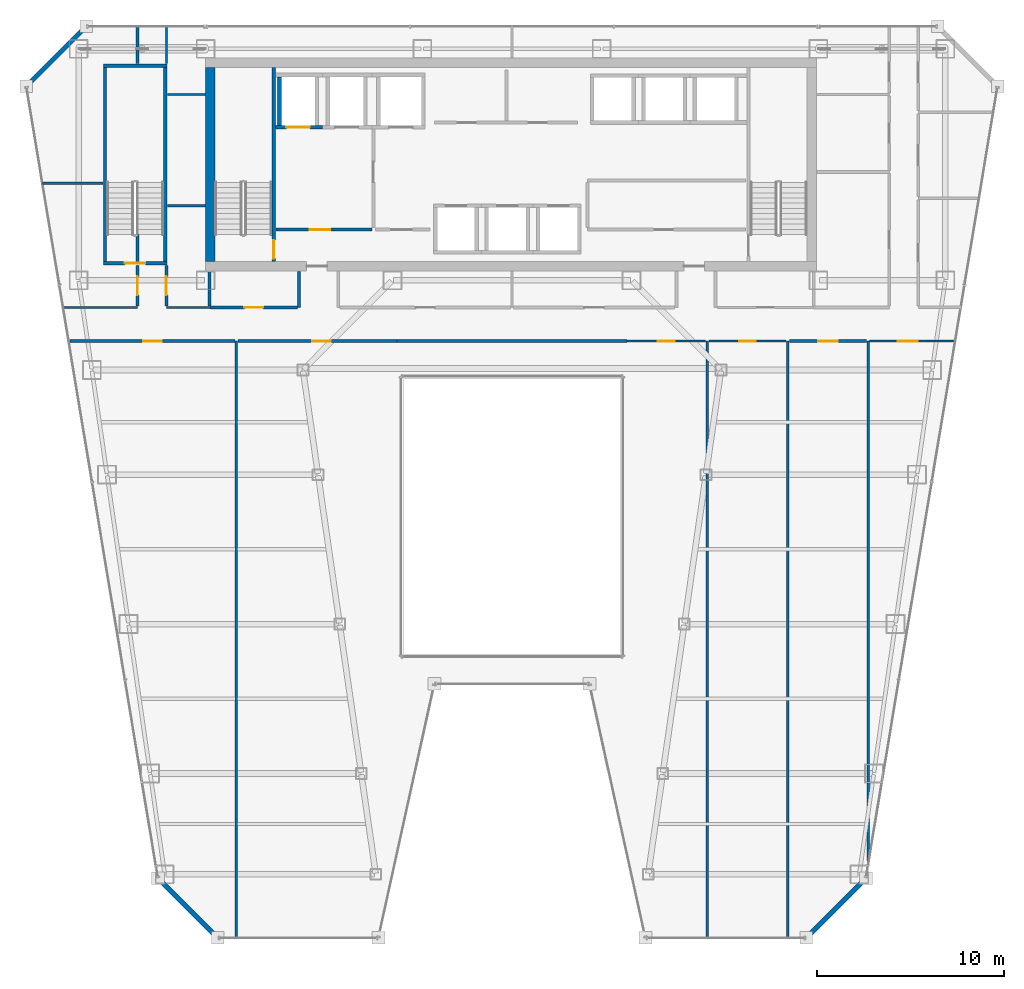
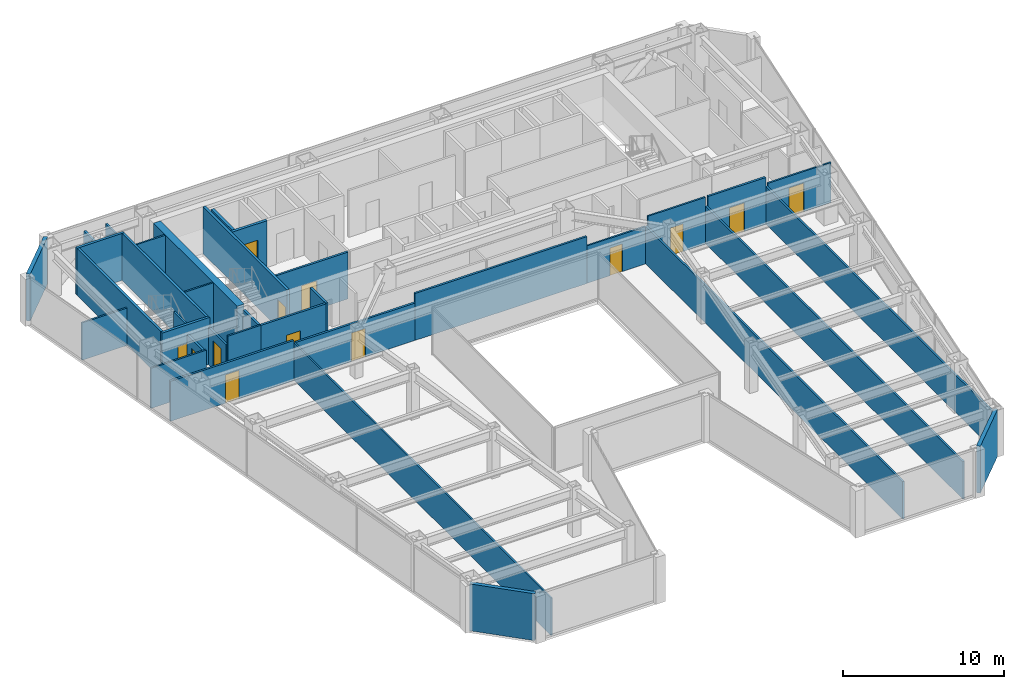
# One storey, part 31 of 36: 36 walls, 13 doors, 13 openings.
"""IFC4 building model written with IfcOpenShell, lengths in metres."""

from ifc_helpers import new_model, si_unit, direction, frame, frame_2d, origin, place, context, subcontext, project, spatial, rectangle, extrude, material, layer, layer_set, type_object, element, fill, save


model = new_model("IFC4")

# Units and contexts
model_context = context("Model", 3, precision=1e-05, world=origin(), true_north=direction((0.0, 1.0)))
body_context = subcontext(model_context, "Body", "Model", "MODEL_VIEW")
ifc_project = project(units=[si_unit("LENGTHUNIT", "METRE"), si_unit("AREAUNIT", "SQUARE_METRE"), si_unit("VOLUMEUNIT", "CUBIC_METRE"), si_unit("PLANEANGLEUNIT", "RADIAN"), si_unit("MASSUNIT", "GRAM", prefix="KILO")], contexts=[model_context])

# Site, building, storey
site_placement = place(None, origin())
site = spatial("IfcSite", under=ifc_project, at=site_placement, CompositionType="ELEMENT")
building_placement = place(site_placement, origin())
building = spatial("IfcBuilding", under=site, at=building_placement, Name="Saevonmaru Cultural Tower", CompositionType="ELEMENT")
storey_placement = place(building_placement, frame((0.0, 0.0, 148.60009765625)))
storey = spatial("IfcBuildingStorey", under=building, at=storey_placement, Name="L32", CompositionType="ELEMENT", Elevation=148.60009765625)

# Wall
ifc_material_1 = material(Name="Concrete C60/75", Category="concrete")
ifc_layer_1 = layer(ifc_material_1, 0.5, Name="Concrete C60/75")
ifc_layer_set_1 = layer_set([ifc_layer_1], Name="Concrete C60/75")
wall_type_1 = type_object("IfcWallType", Name="WL-CORE-500", PredefinedType="SHEAR", material=ifc_layer_set_1)
wall_1_placement = place(storey_placement, frame((13.85009765625, 43.39990234375, 0.0), z_axis=(0.0, 0.0, 1.0), x_axis=(0.0, 1.0, 0.0)))
element("IfcWall", 1, at=wall_1_placement, inside=storey, type_object=wall_type_1, Name="L32 Tower RC core shear wall W", PredefinedType="SHEAR", context=body_context, shape_type="SweptSolid", body=[
    extrude(rectangle(XDim=10.400146484375, YDim=0.5, at=frame_2d((5.2001953125, 0.0))), origin(), (0.0, 0.0, 1.0), 3.5498046875),
])

# Wall, opening, door
ifc_material_2 = material(Name="Gypsum Fireboard Partition", Category="gypsum")
ifc_layer_2 = layer(ifc_material_2, 0.14990234375, Name="Gypsum Fireboard Partition")
ifc_layer_set_2 = layer_set([ifc_layer_2], Name="Gypsum Fireboard Partition")
wall_type_2 = type_object("IfcWallType", Name="WL-CORE-PART-150", PredefinedType="PARTITIONING", material=ifc_layer_set_2)
wall_2_placement = place(storey_placement, frame((17.360107421875, 45.1201171875, 0.0), z_axis=(0.0, 0.0, 1.0), x_axis=(1.0, 0.0, 0.0)))
wall_2 = element("IfcWall", 2, at=wall_2_placement, inside=storey, type_object=wall_type_2, Name="L32 Firefighting Lift Lobby South Wall", PredefinedType="PARTITIONING", context=body_context, shape_type="SweptSolid", body=[
    extrude(rectangle(XDim=5.139892578125, YDim=0.14990234375, at=frame_2d((2.56982421875, 0.0))), origin(), (0.0, 0.0, 1.0), 3.5498046875),
])
opening_1_placement = place(wall_2_placement, frame((1.800048828125, 0.0, 0.0)))
opening_1 = element("IfcOpeningElement", 3, at=opening_1_placement, cuts=wall_2, Name="Opening FD-2", PredefinedType="OPENING", context=body_context, shape_type="SweptSolid", body=[
    extrude(rectangle(XDim=1.10009765625, YDim=2.14990234375, at=frame_2d((0.550048828125, 1.074951171875))), frame((0.0, 0.0849609375, 0.0), z_axis=(0.0, -1.0, 0.0), x_axis=(1.0, 0.0, 0.0)), (0.0, 0.0, 1.0), 0.169921875),
])
ifc_material_3 = material(Name="Satin Bronze Anodised Aluminium", Category="aluminium")
door_type_1 = type_object("IfcDoorType", Name="DR-FD60-1100", OperationType="SINGLE_SWING_LEFT", PredefinedType="DOOR", material=ifc_material_3)
door_1_placement = place(opening_1_placement, origin())
door_1 = element("IfcDoor", 4, at=door_1_placement, inside=storey, type_object=door_type_1, Name="L32 Firefighting Lift Lobby South Door", OperationType="SINGLE_SWING_LEFT", OverallHeight=2.14990234375, OverallWidth=1.10009765625, PredefinedType="DOOR", context=body_context, shape_type="SweptSolid", body=[
    extrude(rectangle(XDim=1.10009765625, YDim=2.14990234375, at=frame_2d((0.550048828125, 1.074951171875))), frame((0.0, 0.02490234375, 0.0), z_axis=(0.0, -1.0, 0.0), x_axis=(1.0, 0.0, 0.0)), (0.0, 0.0, 1.0), 0.050048828125),
])
fill(opening_1, door_1)

# Walls
ifc_material_4 = material(Name="Granite-Clad Precast Concrete C40/50", Category="masonry")
ifc_layer_3 = layer(ifc_material_4, 0.260009765625, Name="Granite-Clad Precast Concrete C40/50")
ifc_layer_set_3 = layer_set([ifc_layer_3], Name="Granite-Clad Precast Concrete C40/50")
wall_type_3 = type_object("IfcWallType", Name="WL-EXT-SPANDREL-260", PredefinedType="STANDARD", material=ifc_layer_set_3)
for number, where, z_axis, x_axis, name in (
    (5, (11.162109375, 10.286865234375, 0.0), (0.0, 0.0, 1.0), (0.70707775441, -0.707135806771, 0.0), "L32 Chamfer Corner Spandrel Wall E1"),
    (6, (45.8642578125, 7.31298828125, 0.0), (0.0, 0.0, 1.0), (0.70707775441, 0.707135806771, 0.0), "L32 Chamfer Corner Spandrel Wall E7"),
):
    element("IfcWall", number, at=place(storey_placement, frame(where, z_axis=z_axis, x_axis=x_axis)), inside=storey, type_object=wall_type_3, Name=name, PredefinedType="STANDARD", context=body_context, shape_type="SweptSolid", body=[
        extrude(rectangle(XDim=4.20556640625, YDim=0.260009765625, at=frame_2d((2.102783203125, 0.0))), origin(), (0.0, 0.0, 1.0), 3.5498046875),
    ])
wall_3_placement = place(storey_placement, frame((7.0869140625, 55.886962890625, 0.0), z_axis=(0.0, 0.0, 1.0), x_axis=(-0.707106781187, -0.707106781187, 0.0)))
element("IfcWall", 7, at=wall_3_placement, inside=storey, type_object=wall_type_3, Name="L32 Chamfer Corner Spandrel Wall E11", PredefinedType="STANDARD", context=body_context, shape_type="SweptSolid", body=[
    extrude(rectangle(XDim=4.205810546875, YDim=0.260009765625, at=frame_2d((2.10302734375, 0.0))), origin(), (0.0, 0.0, 1.0), 3.5498046875),
])

# Wall, opening, door
ifc_layer_4 = layer(ifc_material_2, 0.14990234375, Name="Gypsum Fireboard Partition")
ifc_layer_set_4 = layer_set([ifc_layer_4], Name="Gypsum Fireboard Partition")
wall_type_4 = type_object("IfcWallType", Name="WL-PART-FIRE-150", PredefinedType="PARTITIONING", material=ifc_layer_set_4)
wall_4_placement = place(storey_placement, frame((9.949951171875, 41.030029296875, 0.0), z_axis=(0.0, 0.0, 1.0), x_axis=(0.0, 1.0, 0.0)))
wall_4 = element("IfcWall", 8, at=wall_4_placement, inside=storey, type_object=wall_type_4, Name="L32 Acoustic Chamber Auditorium Corridor Wall", PredefinedType="PARTITIONING", context=body_context, shape_type="SweptSolid", body=[
    extrude(rectangle(XDim=2.169921875, YDim=0.14990234375, at=frame_2d((1.0849609375, 0.0))), origin(), (0.0, 0.0, 1.0), 2.8349609375),
])
opening_2_placement = place(wall_4_placement, frame((0.5849609375, 0.0, 0.0)))
opening_2 = element("IfcOpeningElement", 9, at=opening_2_placement, cuts=wall_4, Name="Opening ID-1B", PredefinedType="OPENING", context=body_context, shape_type="SweptSolid", body=[
    extrude(rectangle(XDim=1.0, YDim=2.14990234375, at=frame_2d((0.5, 1.074951171875))), frame((0.0, 0.0849609375, 0.0), z_axis=(0.0, -1.0, 0.0), x_axis=(1.0, 0.0, 0.0)), (0.0, 0.0, 1.0), 0.169921875),
])
ifc_material_5 = material(Name="Acoustic Stained Oak Timber", Category="wood")
door_type_2 = type_object("IfcDoorType", Name="DR-INT-1000", OperationType="SINGLE_SWING_RIGHT", PredefinedType="DOOR", material=ifc_material_5)
door_2_placement = place(opening_2_placement, origin())
door_2 = element("IfcDoor", 10, at=door_2_placement, inside=storey, type_object=door_type_2, Name="L32 Acoustic Chamber Auditorium Door", OperationType="SINGLE_SWING_LEFT", OverallHeight=2.14990234375, OverallWidth=1.0, PredefinedType="DOOR", context=body_context, shape_type="SweptSolid", body=[
    extrude(rectangle(XDim=1.0, YDim=2.14990234375, at=frame_2d((0.5, 1.074951171875))), frame((0.0, 0.02490234375, 0.0), z_axis=(0.0, -1.0, 0.0), x_axis=(1.0, 0.0, 0.0)), (0.0, 0.0, 1.0), 0.050048828125),
])
fill(opening_2, door_2)

# Walls
wall_5_placement = place(storey_placement, frame((9.949951171875, 43.419921875, 0.0), z_axis=(0.0, 0.0, 1.0), x_axis=(0.0, 1.0, 0.0)))
element("IfcWall", 11, at=wall_5_placement, inside=storey, type_object=wall_type_4, Name="L32 Acoustic Chamber Auditorium Corridor Wall (2)", PredefinedType="PARTITIONING", context=body_context, shape_type="SweptSolid", body=[
    extrude(rectangle(XDim=1.4501953125, YDim=0.14990234375, at=frame_2d((0.72509765625, 0.0))), origin(), (0.0, 0.0, 1.0), 3.5498046875),
])
wall_6_placement = place(storey_placement, frame((9.949951171875, 54.0, 0.0), z_axis=(0.0, 0.0, 1.0), x_axis=(0.0, 1.0, 0.0)))
element("IfcWall", 12, at=wall_6_placement, inside=storey, type_object=wall_type_4, Name="L32 Sound Art Screening Auditorium Corridor Wall", PredefinedType="PARTITIONING", context=body_context, shape_type="SweptSolid", body=[
    extrude(rectangle(XDim=1.9951171875, YDim=0.14990234375, at=frame_2d((0.99755859375, 0.0))), origin(), (0.0, 0.0, 1.0), 2.934814453125),
])

# Wall, opening, door
wall_7_placement = place(storey_placement, frame((11.5, 41.030029296875, 0.0), z_axis=(0.0, 0.0, 1.0), x_axis=(0.0, 1.0, 0.0)))
wall_7 = element("IfcWall", 13, at=wall_7_placement, inside=storey, type_object=wall_type_4, Name="L32 Sound Art Screening Auditorium Corridor Wall", PredefinedType="PARTITIONING", context=body_context, shape_type="SweptSolid", body=[
    extrude(rectangle(XDim=2.169921875, YDim=0.14990234375, at=frame_2d((1.0849609375, 0.0))), origin(), (0.0, 0.0, 1.0), 2.8349609375),
])
opening_3_placement = place(wall_7_placement, frame((0.5849609375, 0.0, 0.0)))
opening_3 = element("IfcOpeningElement", 14, at=opening_3_placement, cuts=wall_7, Name="Opening ID-1B", PredefinedType="OPENING", context=body_context, shape_type="SweptSolid", body=[
    extrude(rectangle(XDim=1.0, YDim=2.14990234375, at=frame_2d((0.5, 1.074951171875))), frame((0.0, 0.0849609375, 0.0), z_axis=(0.0, -1.0, 0.0), x_axis=(1.0, 0.0, 0.0)), (0.0, 0.0, 1.0), 0.169921875),
])
door_3_placement = place(opening_3_placement, origin())
door_3 = element("IfcDoor", 15, at=door_3_placement, inside=storey, type_object=door_type_2, Name="L32 Sound Art Screening Auditorium Door", OperationType="SINGLE_SWING_RIGHT", OverallHeight=2.14990234375, OverallWidth=1.0, PredefinedType="DOOR", context=body_context, shape_type="SweptSolid", body=[
    extrude(rectangle(XDim=1.0, YDim=2.14990234375, at=frame_2d((0.5, 1.074951171875))), frame((0.0, 0.02490234375, 0.0), z_axis=(0.0, -1.0, 0.0), x_axis=(1.0, 0.0, 0.0)), (0.0, 0.0, 1.0), 0.050048828125),
])
fill(opening_3, door_3)

# Walls
wall_8_placement = place(storey_placement, frame((13.800048828125, 41.030029296875, 0.0), z_axis=(0.0, 0.0, 1.0), x_axis=(0.0, 1.0, 0.0)))
element("IfcWall", 16, at=wall_8_placement, inside=storey, type_object=wall_type_4, Name="L32 Core Portal Side Wall W0", PredefinedType="PARTITIONING", context=body_context, shape_type="SweptSolid", body=[
    extrude(rectangle(XDim=1.849853515625, YDim=0.14990234375, at=frame_2d((0.9248046875, 0.0))), origin(), (0.0, 0.0, 1.0), 3.5498046875),
])
wall_9_placement = place(storey_placement, frame((18.60009765625, 40.949951171875, 0.0), z_axis=(0.0, 0.0, 1.0), x_axis=(0.0, 1.0, 0.0)))
element("IfcWall", 17, at=wall_9_placement, inside=storey, type_object=wall_type_4, Name="L32 Core Portal Side Wall W1", PredefinedType="PARTITIONING", context=body_context, shape_type="SweptSolid", body=[
    extrude(rectangle(XDim=1.929931640625, YDim=0.14990234375, at=frame_2d((0.96484375, 0.0))), origin(), (0.0, 0.0, 1.0), 3.5498046875),
])

# Wall, opening, door
wall_10_placement = place(storey_placement, frame((13.85009765625, 40.949951171875, 0.0), z_axis=(0.0, 0.0, 1.0), x_axis=(1.0, 0.0, 0.0)))
wall_10 = element("IfcWall", 18, at=wall_10_placement, inside=storey, type_object=wall_type_4, Name="L32 Acoustic Chamber Auditorium Corridor Wall", PredefinedType="PARTITIONING", context=body_context, shape_type="SweptSolid", body=[
    extrude(rectangle(XDim=4.65478515625, YDim=0.14990234375, at=frame_2d((2.327392578125, 0.0))), origin(), (0.0, 0.0, 1.0), 3.5498046875),
])
opening_4_placement = place(wall_10_placement, frame((1.826904296875, 0.0, 0.0)))
opening_4 = element("IfcOpeningElement", 19, at=opening_4_placement, cuts=wall_10, Name="Opening ID-1B", PredefinedType="OPENING", context=body_context, shape_type="SweptSolid", body=[
    extrude(rectangle(XDim=1.0, YDim=2.14990234375, at=frame_2d((0.5, 1.074951171875))), frame((0.0, 0.0849609375, 0.0), z_axis=(0.0, -1.0, 0.0), x_axis=(1.0, 0.0, 0.0)), (0.0, 0.0, 1.0), 0.169921875),
])
door_4_placement = place(opening_4_placement, origin())
door_4 = element("IfcDoor", 20, at=door_4_placement, inside=storey, type_object=door_type_2, Name="L32 Acoustic Chamber Auditorium Door", OperationType="SINGLE_SWING_RIGHT", OverallHeight=2.14990234375, OverallWidth=1.0, PredefinedType="DOOR", context=body_context, shape_type="SweptSolid", body=[
    extrude(rectangle(XDim=1.0, YDim=2.14990234375, at=frame_2d((0.5, 1.074951171875))), frame((0.0, 0.02490234375, 0.0), z_axis=(0.0, -1.0, 0.0), x_axis=(1.0, 0.0, 0.0)), (0.0, 0.0, 1.0), 0.050048828125),
])
fill(opening_4, door_4)

wall_11_placement = place(storey_placement, frame((6.333984375, 39.14990234375, 0.0), z_axis=(0.0, 0.0, 1.0), x_axis=(1.0, 0.0, 0.0)))
wall_11 = element("IfcWall", 21, at=wall_11_placement, inside=storey, type_object=wall_type_4, Name="L32 Acoustic Chamber Auditorium Corridor Wall", PredefinedType="PARTITIONING", context=body_context, shape_type="SweptSolid", body=[
    extrude(rectangle(XDim=8.825927734375, YDim=0.14990234375, at=frame_2d((4.4130859375, 0.0))), origin(), (0.0, 0.0, 1.0), 3.034912109375),
])
opening_5_placement = place(wall_11_placement, frame((3.9130859375, 0.0, 0.0)))
opening_5 = element("IfcOpeningElement", 22, at=opening_5_placement, cuts=wall_11, Name="Opening ID-1B", PredefinedType="OPENING", context=body_context, shape_type="SweptSolid", body=[
    extrude(rectangle(XDim=1.0, YDim=2.14990234375, at=frame_2d((0.5, 1.074951171875))), frame((0.0, 0.0849609375, 0.0), z_axis=(0.0, -1.0, 0.0), x_axis=(1.0, 0.0, 0.0)), (0.0, 0.0, 1.0), 0.169921875),
])
door_5_placement = place(opening_5_placement, origin())
door_5 = element("IfcDoor", 23, at=door_5_placement, inside=storey, type_object=door_type_2, Name="L32 Acoustic Chamber Auditorium Door", OperationType="SINGLE_SWING_RIGHT", OverallHeight=2.14990234375, OverallWidth=1.0, PredefinedType="DOOR", context=body_context, shape_type="SweptSolid", body=[
    extrude(rectangle(XDim=1.0, YDim=2.14990234375, at=frame_2d((0.5, 1.074951171875))), frame((0.0, 0.02490234375, 0.0), z_axis=(0.0, -1.0, 0.0), x_axis=(1.0, 0.0, 0.0)), (0.0, 0.0, 1.0), 0.050048828125),
])
fill(opening_5, door_5)

wall_12_placement = place(storey_placement, frame((15.320068359375, 39.14990234375, 0.0), z_axis=(0.0, 0.0, 1.0), x_axis=(1.0, 0.0, 0.0)))
wall_12 = element("IfcWall", 24, at=wall_12_placement, inside=storey, type_object=wall_type_4, Name="L32 Sound Art Screening Auditorium Corridor Wall", PredefinedType="PARTITIONING", context=body_context, shape_type="SweptSolid", body=[
    extrude(rectangle(XDim=8.530029296875, YDim=0.14990234375, at=frame_2d((4.26513671875, 0.0))), origin(), (0.0, 0.0, 1.0), 2.8349609375),
])
opening_6_placement = place(wall_12_placement, frame((3.985107421875, 0.0, 0.0)))
opening_6 = element("IfcOpeningElement", 25, at=opening_6_placement, cuts=wall_12, Name="Opening ID-1B", PredefinedType="OPENING", context=body_context, shape_type="SweptSolid", body=[
    extrude(rectangle(XDim=1.0, YDim=2.14990234375, at=frame_2d((0.5, 1.074951171875))), frame((0.0, 0.0849609375, 0.0), z_axis=(0.0, -1.0, 0.0), x_axis=(1.0, 0.0, 0.0)), (0.0, 0.0, 1.0), 0.169921875),
])
door_6_placement = place(opening_6_placement, origin())
door_6 = element("IfcDoor", 26, at=door_6_placement, inside=storey, type_object=door_type_2, Name="L32 Sound Art Screening Auditorium Door", OperationType="SINGLE_SWING_LEFT", OverallHeight=2.14990234375, OverallWidth=1.0, PredefinedType="DOOR", context=body_context, shape_type="SweptSolid", body=[
    extrude(rectangle(XDim=1.0, YDim=2.14990234375, at=frame_2d((0.5, 1.074951171875))), frame((0.0, 0.02490234375, 0.0), z_axis=(0.0, -1.0, 0.0), x_axis=(1.0, 0.0, 0.0)), (0.0, 0.0, 1.0), 0.050048828125),
])
fill(opening_6, door_6)

# Wall
wall_13_placement = place(storey_placement, frame((23.85009765625, 39.14990234375, 0.0), z_axis=(0.0, 0.0, 1.0), x_axis=(1.0, 0.0, 0.0)))
element("IfcWall", 27, at=wall_13_placement, inside=storey, type_object=wall_type_4, Name="L32 North Atrium Corridor Wall", PredefinedType="PARTITIONING", context=body_context, shape_type="SweptSolid", body=[
    extrude(rectangle(XDim=12.2998046875, YDim=0.14990234375, at=frame_2d((6.14990234375, 0.0))), origin(), (0.0, 0.0, 1.0), 3.5498046875),
])

# Wall, opening, door
wall_14_placement = place(storey_placement, frame((44.847412109375, 39.14990234375, 0.0), z_axis=(0.0, 0.0, 1.0), x_axis=(1.0, 0.0, 0.0)))
wall_14 = element("IfcWall", 28, at=wall_14_placement, inside=storey, type_object=wall_type_4, Name="L32 Sky Observatory Gallery Corridor Wall", PredefinedType="PARTITIONING", context=body_context, shape_type="SweptSolid", body=[
    extrude(rectangle(XDim=4.125, YDim=0.14990234375, at=frame_2d((2.0625, 0.0))), origin(), (0.0, 0.0, 1.0), 3.5498046875),
])
opening_7_placement = place(wall_14_placement, frame((1.5380859375, 0.0, 0.0)))
opening_7 = element("IfcOpeningElement", 29, at=opening_7_placement, cuts=wall_14, Name="Opening ID-1", PredefinedType="OPENING", context=body_context, shape_type="SweptSolid", body=[
    extrude(rectangle(XDim=1.050048828125, YDim=2.14990234375, at=frame_2d((0.52490234375, 1.074951171875))), frame((0.0, 0.0849609375, 0.0), z_axis=(0.0, -1.0, 0.0), x_axis=(1.0, 0.0, 0.0)), (0.0, 0.0, 1.0), 0.169921875),
])
door_type_3 = type_object("IfcDoorType", Name="DR-INT-1050", OperationType="SINGLE_SWING_LEFT", PredefinedType="DOOR", material=ifc_material_3)
door_7_placement = place(opening_7_placement, origin())
door_7 = element("IfcDoor", 30, at=door_7_placement, inside=storey, type_object=door_type_3, Name="L32 Sky Observatory Gallery Door", OperationType="SINGLE_SWING_RIGHT", OverallHeight=2.14990234375, OverallWidth=1.050048828125, PredefinedType="DOOR", context=body_context, shape_type="SweptSolid", body=[
    extrude(rectangle(XDim=1.050048828125, YDim=2.14990234375, at=frame_2d((0.52490234375, 1.074951171875))), frame((0.0, 0.02490234375, 0.0), z_axis=(0.0, -1.0, 0.0), x_axis=(1.0, 0.0, 0.0)), (0.0, 0.0, 1.0), 0.050048828125),
])
fill(opening_7, door_7)

# Walls
ifc_layer_5 = layer(ifc_material_2, 0.1201171875, Name="Gypsum Fireboard Partition")
ifc_layer_set_5 = layer_set([ifc_layer_5], Name="Gypsum Fireboard Partition")
wall_type_5 = type_object("IfcWallType", Name="WL-PART-GYP-120", PredefinedType="PARTITIONING", material=ifc_layer_set_5)
wall_15_placement = place(storey_placement, frame((5.97509765625, 40.949951171875, 0.0), z_axis=(0.0, 0.0, 1.0), x_axis=(1.0, 0.0, 0.0)))
element("IfcWall", 31, at=wall_15_placement, inside=storey, type_object=wall_type_5, Name="L32 NW Wing South Wall", PredefinedType="PARTITIONING", context=body_context, shape_type="SweptSolid", body=[
    extrude(rectangle(XDim=3.974853515625, YDim=0.1201171875, at=frame_2d((1.9873046875, 0.0))), origin(), (0.0, 0.0, 1.0), 3.034912109375),
])
wall_16_placement = place(storey_placement, frame((11.5, 40.949951171875, 0.0), z_axis=(0.0, 0.0, 1.0), x_axis=(1.0, 0.0, 0.0)))
element("IfcWall", 32, at=wall_16_placement, inside=storey, type_object=wall_type_5, Name="L32 NW Inner South Wall", PredefinedType="PARTITIONING", context=body_context, shape_type="SweptSolid", body=[
    extrude(rectangle(XDim=2.35009765625, YDim=0.1201171875, at=frame_2d((1.175048828125, 0.0))), origin(), (0.0, 0.0, 1.0), 3.5498046875),
])
wall_17_placement = place(storey_placement, frame((11.550048828125, 52.35009765625, 0.0), z_axis=(0.0, 0.0, 1.0), x_axis=(1.0, 0.0, 0.0)))
element("IfcWall", 33, at=wall_17_placement, inside=storey, type_object=wall_type_5, Name="L32 North-West Panorama South Wall", PredefinedType="PARTITIONING", context=body_context, shape_type="SweptSolid", body=[
    extrude(rectangle(XDim=2.030029296875, YDim=0.1201171875, at=frame_2d((1.01513671875, 0.0))), origin(), (0.0, 0.0, 1.0), 3.5498046875),
])
wall_18_placement = place(storey_placement, frame((11.5, 54.0, 0.0), z_axis=(0.0, 0.0, 1.0), x_axis=(0.0, 1.0, 0.0)))
element("IfcWall", 34, at=wall_18_placement, inside=storey, type_object=wall_type_5, Name="L32 Civic Policy Meeting Room Corridor Wall", PredefinedType="PARTITIONING", context=body_context, shape_type="SweptSolid", body=[
    extrude(rectangle(XDim=1.9951171875, YDim=0.1201171875, at=frame_2d((0.99755859375, 0.0))), origin(), (0.0, 0.0, 1.0), 2.934814453125),
])
wall_19_placement = place(storey_placement, frame((4.86962890625, 47.60009765625, 0.0), z_axis=(0.0, 0.0, 1.0), x_axis=(1.0, 0.0, 0.0)))
element("IfcWall", 35, at=wall_19_placement, inside=storey, type_object=wall_type_5, Name="L32 NW Studio Divider 1", PredefinedType="PARTITIONING", context=body_context, shape_type="SweptSolid", body=[
    extrude(rectangle(XDim=3.23046875, YDim=0.1201171875, at=frame_2d((1.615234375, 0.0))), origin(), (0.0, 0.0, 1.0), 2.8349609375),
])
wall_20_placement = place(storey_placement, frame((11.550048828125, 46.39990234375, 0.0), z_axis=(0.0, 0.0, 1.0), x_axis=(1.0, 0.0, 0.0)))
element("IfcWall", 36, at=wall_20_placement, inside=storey, type_object=wall_type_5, Name="L32 NW Inner Divider", PredefinedType="PARTITIONING", context=body_context, shape_type="SweptSolid", body=[
    extrude(rectangle(XDim=2.030029296875, YDim=0.1201171875, at=frame_2d((1.01513671875, 0.0))), origin(), (0.0, 0.0, 1.0), 3.5498046875),
])
wall_21_placement = place(storey_placement, frame((15.239990234375, 7.205078125, 0.0), z_axis=(0.0, 0.0, 1.0), x_axis=(0.0, 1.0, 0.0)))
element("IfcWall", 37, at=wall_21_placement, inside=storey, type_object=wall_type_5, Name="L32 West Bay Divider 1", PredefinedType="PARTITIONING", context=body_context, shape_type="SweptSolid", body=[
    extrude(rectangle(XDim=31.94482421875, YDim=0.1201171875, at=frame_2d((15.972412109375, 0.0))), origin(), (0.0, 0.0, 1.0), 2.8349609375),
])

# Wall, opening, door
wall_22_placement = place(storey_placement, frame((36.14990234375, 39.14990234375, 0.0), z_axis=(0.0, 0.0, 1.0), x_axis=(1.0, 0.0, 0.0)))
wall_22 = element("IfcWall", 38, at=wall_22_placement, inside=storey, type_object=wall_type_5, Name="L32 Civic Policy Meeting Room Corridor Wall", PredefinedType="PARTITIONING", context=body_context, shape_type="SweptSolid", body=[
    extrude(rectangle(XDim=4.212646484375, YDim=0.1201171875, at=frame_2d((2.1064453125, 0.0))), origin(), (0.0, 0.0, 1.0), 2.8349609375),
])
opening_8_placement = place(wall_22_placement, frame((1.656005859375, 0.0, 0.0)))
opening_8 = element("IfcOpeningElement", 39, at=opening_8_placement, cuts=wall_22, Name="Opening ID-2", PredefinedType="OPENING", context=body_context, shape_type="SweptSolid", body=[
    extrude(rectangle(XDim=0.89990234375, YDim=2.10009765625, at=frame_2d((0.449951171875, 1.050048828125))), frame((0.0, 0.070068359375, 0.0), z_axis=(0.0, -1.0, 0.0), x_axis=(1.0, 0.0, 0.0)), (0.0, 0.0, 1.0), 0.14013671875),
])
door_type_4 = type_object("IfcDoorType", Name="DR-INT-900", OperationType="SINGLE_SWING_RIGHT", PredefinedType="DOOR", material=ifc_material_5)
door_8_placement = place(opening_8_placement, origin())
door_8 = element("IfcDoor", 40, at=door_8_placement, inside=storey, type_object=door_type_4, Name="L32 Civic Policy Meeting Room Door", OperationType="SINGLE_SWING_RIGHT", OverallHeight=2.10009765625, OverallWidth=0.89990234375, PredefinedType="DOOR", context=body_context, shape_type="SweptSolid", body=[
    extrude(rectangle(XDim=0.89990234375, YDim=2.10009765625, at=frame_2d((0.449951171875, 1.050048828125))), frame((0.0, 0.02490234375, 0.0), z_axis=(0.0, -1.0, 0.0), x_axis=(1.0, 0.0, 0.0)), (0.0, 0.0, 1.0), 0.050048828125),
])
fill(opening_8, door_8)

wall_23_placement = place(storey_placement, frame((40.53759765625, 39.14990234375, 0.0), z_axis=(0.0, 0.0, 1.0), x_axis=(1.0, 0.0, 0.0)))
wall_23 = element("IfcWall", 41, at=wall_23_placement, inside=storey, type_object=wall_type_5, Name="L32 Scholarly Colloquium Meeting Room Corridor Wall", PredefinedType="PARTITIONING", context=body_context, shape_type="SweptSolid", body=[
    extrude(rectangle(XDim=4.135009765625, YDim=0.1201171875, at=frame_2d((2.0673828125, 0.0))), origin(), (0.0, 0.0, 1.0), 3.5498046875),
])
opening_9_placement = place(wall_23_placement, frame((1.616943359375, 0.0, 0.0)))
opening_9 = element("IfcOpeningElement", 42, at=opening_9_placement, cuts=wall_23, Name="Opening ID-2", PredefinedType="OPENING", context=body_context, shape_type="SweptSolid", body=[
    extrude(rectangle(XDim=0.89990234375, YDim=2.10009765625, at=frame_2d((0.449951171875, 1.050048828125))), frame((0.0, 0.070068359375, 0.0), z_axis=(0.0, -1.0, 0.0), x_axis=(1.0, 0.0, 0.0)), (0.0, 0.0, 1.0), 0.14013671875),
])
door_9_placement = place(opening_9_placement, origin())
door_9 = element("IfcDoor", 43, at=door_9_placement, inside=storey, type_object=door_type_4, Name="L32 Scholarly Colloquium Meeting Room Door", OperationType="SINGLE_SWING_LEFT", OverallHeight=2.10009765625, OverallWidth=0.89990234375, PredefinedType="DOOR", context=body_context, shape_type="SweptSolid", body=[
    extrude(rectangle(XDim=0.89990234375, YDim=2.10009765625, at=frame_2d((0.449951171875, 1.050048828125))), frame((0.0, 0.02490234375, 0.0), z_axis=(0.0, -1.0, 0.0), x_axis=(1.0, 0.0, 0.0)), (0.0, 0.0, 1.0), 0.050048828125),
])
fill(opening_9, door_9)

wall_24_placement = place(storey_placement, frame((49.1474609375, 39.14990234375, 0.0), z_axis=(0.0, 0.0, 1.0), x_axis=(1.0, 0.0, 0.0)))
wall_24 = element("IfcWall", 44, at=wall_24_placement, inside=storey, type_object=wall_type_5, Name="L32 Panorama Reading Room Corridor Wall", PredefinedType="PARTITIONING", context=body_context, shape_type="SweptSolid", body=[
    extrude(rectangle(XDim=4.5185546875, YDim=0.1201171875, at=frame_2d((2.25927734375, 0.0))), origin(), (0.0, 0.0, 1.0), 3.034912109375),
])
opening_10_placement = place(wall_24_placement, frame((1.513916015625, 0.0, 0.0)))
opening_10 = element("IfcOpeningElement", 45, at=opening_10_placement, cuts=wall_24, Name="Opening ID-1", PredefinedType="OPENING", context=body_context, shape_type="SweptSolid", body=[
    extrude(rectangle(XDim=1.050048828125, YDim=2.14990234375, at=frame_2d((0.52490234375, 1.074951171875))), frame((0.0, 0.070068359375, 0.0), z_axis=(0.0, -1.0, 0.0), x_axis=(1.0, 0.0, 0.0)), (0.0, 0.0, 1.0), 0.14013671875),
])
door_10_placement = place(opening_10_placement, origin())
door_10 = element("IfcDoor", 46, at=door_10_placement, inside=storey, type_object=door_type_3, Name="L32 Panorama Reading Room Door", OperationType="SINGLE_SWING_LEFT", OverallHeight=2.14990234375, OverallWidth=1.050048828125, PredefinedType="DOOR", context=body_context, shape_type="SweptSolid", body=[
    extrude(rectangle(XDim=1.050048828125, YDim=2.14990234375, at=frame_2d((0.52490234375, 1.074951171875))), frame((0.0, 0.02490234375, 0.0), z_axis=(0.0, -1.0, 0.0), x_axis=(1.0, 0.0, 0.0)), (0.0, 0.0, 1.0), 0.050048828125),
])
fill(opening_10, door_10)

# Walls
ifc_layer_6 = layer(ifc_material_2, 0.135009765625, Name="Gypsum Fireboard Partition")
ifc_layer_set_6 = layer_set([ifc_layer_6], Name="Gypsum Fireboard Partition")
wall_type_6 = type_object("IfcWallType", Name="WL-PART-GYP-135", PredefinedType="PARTITIONING", material=ifc_layer_set_6)
for number, where, z_axis, x_axis, name in (
    (47, (40.449951171875, 7.205078125, 0.0), (0.0, 0.0, 1.0), (0.0, 1.0, 0.0), "L32 East Bay Divider 1"),
    (48, (44.760009765625, 7.205078125, 0.0), (0.0, 0.0, 1.0), (0.0, 1.0, 0.0), "L32 East Bay Divider 2"),
):
    element("IfcWall", number, at=place(storey_placement, frame(where, z_axis=z_axis, x_axis=x_axis)), inside=storey, type_object=wall_type_6, Name=name, PredefinedType="PARTITIONING", context=body_context, shape_type="SweptSolid", body=[
        extrude(rectangle(XDim=31.94482421875, YDim=0.135009765625, at=frame_2d((15.972412109375, 0.0))), origin(), (0.0, 0.0, 1.0), 2.8349609375),
    ])
wall_25_placement = place(storey_placement, frame((49.06005859375, 11.08544921875, 0.0), z_axis=(0.0, 0.0, 1.0), x_axis=(0.0, 1.0, 0.0)))
element("IfcWall", 49, at=wall_25_placement, inside=storey, type_object=wall_type_6, Name="L32 East Bay Divider 3", PredefinedType="PARTITIONING", context=body_context, shape_type="SweptSolid", body=[
    extrude(rectangle(XDim=28.064453125, YDim=0.135009765625, at=frame_2d((14.0322265625, 0.0))), origin(), (0.0, 0.0, 1.0), 2.8349609375),
])

# Wall, opening, door
ifc_material_6 = material(Name="Concrete C40/50", Category="concrete")
ifc_layer_7 = layer(ifc_material_6, 0.199951171875, Name="Concrete C40/50")
ifc_layer_set_7 = layer_set([ifc_layer_7], Name="Concrete C40/50")
wall_type_7 = type_object("IfcWallType", Name="WL-SHAFT-200", PredefinedType="SHEAR", material=ifc_layer_set_7)
wall_26_placement = place(storey_placement, frame((17.330078125, 50.60009765625, 0.0), z_axis=(0.0, 0.0, 1.0), x_axis=(1.0, 0.0, 0.0)))
wall_26 = element("IfcWall", 50, at=wall_26_placement, inside=storey, type_object=wall_type_7, Name="L32 Lift FFL-1 Hoistway Wall S", PredefinedType="SHEAR", context=body_context, shape_type="SweptSolid", body=[
    extrude(rectangle(XDim=2.52001953125, YDim=0.199951171875, at=frame_2d((1.260009765625, 0.0))), origin(), (0.0, 0.0, 1.0), 3.5498046875),
])
opening_11_placement = place(wall_26_placement, frame((0.594970703125, 0.0, 0.0)))
opening_11 = element("IfcOpeningElement", 51, at=opening_11_placement, cuts=wall_26, Name="Opening LD-2", PredefinedType="OPENING", context=body_context, shape_type="SweptSolid", body=[
    extrude(rectangle(XDim=1.25, YDim=2.300048828125, at=frame_2d((0.625, 1.14990234375))), frame((0.0, 0.10986328125, 0.0), z_axis=(0.0, -1.0, 0.0), x_axis=(1.0, 0.0, 0.0)), (0.0, 0.0, 1.0), 0.219970703125),
])
ifc_material_7 = material(Name="Stainless Steel 316", Category="steel")
door_type_5 = type_object("IfcDoorType", Name="DR-LIFT-1250", OperationType="SLIDING_TO_LEFT", PredefinedType="DOOR", material=ifc_material_7)
door_11_placement = place(opening_11_placement, origin())
door_11 = element("IfcDoor", 52, at=door_11_placement, inside=storey, type_object=door_type_5, Name="L32 Lift FFL-1 Sliding Landing Door", OperationType="SLIDING_TO_LEFT", OverallHeight=2.300048828125, OverallWidth=1.25, PredefinedType="DOOR", context=body_context, shape_type="SweptSolid", body=[
    extrude(rectangle(XDim=1.25, YDim=2.300048828125, at=frame_2d((0.625, 1.14990234375))), frame((0.0, 0.02490234375, 0.0), z_axis=(0.0, -1.0, 0.0), x_axis=(1.0, 0.0, 0.0)), (0.0, 0.0, 1.0), 0.050048828125),
])
fill(opening_11, door_11)

# Wall
wall_27_placement = place(storey_placement, frame((17.550048828125, 50.699951171875, 0.0), z_axis=(0.0, 0.0, 1.0), x_axis=(0.0, 1.0, 0.0)))
element("IfcWall", 53, at=wall_27_placement, inside=storey, type_object=wall_type_7, Name="L32 Lift FFL-1 Hoistway Wall W", PredefinedType="SHEAR", context=body_context, shape_type="SweptSolid", body=[
    extrude(rectangle(XDim=2.60009765625, YDim=0.199951171875, at=frame_2d((1.300048828125, 0.0))), origin(), (0.0, 0.0, 1.0), 3.5498046875),
])

# Wall, opening, door
ifc_layer_8 = layer(ifc_material_6, 0.179931640625, Name="Concrete C40/50")
ifc_layer_set_8 = layer_set([ifc_layer_8], Name="Concrete C40/50")
wall_type_8 = type_object("IfcWallType", Name="WL-STSHAFT-180", PredefinedType="SHEAR", material=ifc_layer_set_8)
wall_28_placement = place(storey_placement, frame((17.239990234375, 43.39990234375, 0.0), z_axis=(0.0, 0.0, 1.0), x_axis=(0.0, 1.0, 0.0)))
wall_28 = element("IfcWall", 54, at=wall_28_placement, inside=storey, type_object=wall_type_8, Name="L32 Stair ST-1 Structural Shaft Wall 1", PredefinedType="SHEAR", context=body_context, shape_type="SweptSolid", body=[
    extrude(rectangle(XDim=10.400146484375, YDim=0.179931640625, at=frame_2d((5.2001953125, 0.0))), origin(), (0.0, 0.0, 1.0), 3.5498046875),
])
opening_12_placement = place(wall_28_placement, frame((0.159912109375, 0.0, 0.0)))
opening_12 = element("IfcOpeningElement", 55, at=opening_12_placement, cuts=wall_28, Name="Opening FD-3", PredefinedType="OPENING", context=body_context, shape_type="SweptSolid", body=[
    extrude(rectangle(XDim=1.0, YDim=2.14990234375, at=frame_2d((0.5, 1.074951171875))), frame((0.0, 0.10009765625, 0.0), z_axis=(0.0, -1.0, 0.0), x_axis=(1.0, 0.0, 0.0)), (0.0, 0.0, 1.0), 0.199951171875),
])
door_type_6 = type_object("IfcDoorType", Name="DR-FD60-1000", OperationType="SINGLE_SWING_RIGHT", PredefinedType="DOOR", material=ifc_material_3)
door_12_placement = place(opening_12_placement, origin())
door_12 = element("IfcDoor", 56, at=door_12_placement, inside=storey, type_object=door_type_6, Name="L32 Protected Stair ST-1 Fire Door", OperationType="SINGLE_SWING_RIGHT", OverallHeight=2.14990234375, OverallWidth=1.0, PredefinedType="DOOR", context=body_context, shape_type="SweptSolid", body=[
    extrude(rectangle(XDim=1.0, YDim=2.14990234375, at=frame_2d((0.5, 1.074951171875))), frame((0.0, 0.02490234375, 0.0), z_axis=(0.0, -1.0, 0.0), x_axis=(1.0, 0.0, 0.0)), (0.0, 0.0, 1.0), 0.050048828125),
])
fill(opening_12, door_12)

wall_29_placement = place(storey_placement, frame((8.1201171875, 43.31005859375, 0.0), z_axis=(0.0, 0.0, 1.0), x_axis=(1.0, 0.0, 0.0)))
wall_29 = element("IfcWall", 57, at=wall_29_placement, inside=storey, type_object=wall_type_8, Name="L32 Stair ST-3 Structural Shaft Wall 1", PredefinedType="SHEAR", context=body_context, shape_type="SweptSolid", body=[
    extrude(rectangle(XDim=3.409912109375, YDim=0.179931640625, at=frame_2d((1.705078125, 0.0))), origin(), (0.0, 0.0, 1.0), 3.5498046875),
])
opening_13_placement = place(wall_29_placement, frame((1.14990234375, 0.0, 0.0)))
opening_13 = element("IfcOpeningElement", 58, at=opening_13_placement, cuts=wall_29, Name="Opening FD-2", PredefinedType="OPENING", context=body_context, shape_type="SweptSolid", body=[
    extrude(rectangle(XDim=1.10009765625, YDim=2.14990234375, at=frame_2d((0.550048828125, 1.074951171875))), frame((0.0, 0.10009765625, 0.0), z_axis=(0.0, -1.0, 0.0), x_axis=(1.0, 0.0, 0.0)), (0.0, 0.0, 1.0), 0.199951171875),
])
door_13_placement = place(opening_13_placement, origin())
door_13 = element("IfcDoor", 59, at=door_13_placement, inside=storey, type_object=door_type_1, Name="L32 Protected Stair ST-3 Fire Door", OperationType="SINGLE_SWING_LEFT", OverallHeight=2.14990234375, OverallWidth=1.10009765625, PredefinedType="DOOR", context=body_context, shape_type="SweptSolid", body=[
    extrude(rectangle(XDim=1.10009765625, YDim=2.14990234375, at=frame_2d((0.550048828125, 1.074951171875))), frame((0.0, 0.02490234375, 0.0), z_axis=(0.0, -1.0, 0.0), x_axis=(1.0, 0.0, 0.0)), (0.0, 0.0, 1.0), 0.050048828125),
])
fill(opening_13, door_13)

# Walls
wall_30_placement = place(storey_placement, frame((11.43994140625, 43.39990234375, 0.0), z_axis=(0.0, 0.0, 1.0), x_axis=(0.0, 1.0, 0.0)))
element("IfcWall", 60, at=wall_30_placement, inside=storey, type_object=wall_type_8, Name="L32 Stair ST-3 Structural Shaft Wall 2", PredefinedType="SHEAR", context=body_context, shape_type="SweptSolid", body=[
    extrude(rectangle(XDim=10.400146484375, YDim=0.179931640625, at=frame_2d((5.2001953125, 0.0))), origin(), (0.0, 0.0, 1.0), 3.5498046875),
])
wall_31_placement = place(storey_placement, frame((11.530029296875, 53.889892578125, 0.0), z_axis=(0.0, 0.0, 1.0), x_axis=(-1.0, 0.0, 0.0)))
element("IfcWall", 61, at=wall_31_placement, inside=storey, type_object=wall_type_8, Name="L32 Stair ST-3 Structural Shaft Wall 3", PredefinedType="SHEAR", context=body_context, shape_type="SweptSolid", body=[
    extrude(rectangle(XDim=3.409912109375, YDim=0.179931640625, at=frame_2d((1.705078125, 0.0))), origin(), (0.0, 0.0, 1.0), 3.5498046875),
])
wall_32_placement = place(storey_placement, frame((8.2099609375, 53.800048828125, 0.0), z_axis=(0.0, 0.0, 1.0), x_axis=(0.0, -1.0, 0.0)))
element("IfcWall", 62, at=wall_32_placement, inside=storey, type_object=wall_type_8, Name="L32 Stair ST-3 Structural Shaft Wall 4", PredefinedType="SHEAR", context=body_context, shape_type="SweptSolid", body=[
    extrude(rectangle(XDim=10.400146484375, YDim=0.179931640625, at=frame_2d((5.2001953125, 0.0))), origin(), (0.0, 0.0, 1.0), 3.5498046875),
])

save(model, "model.ifc")
